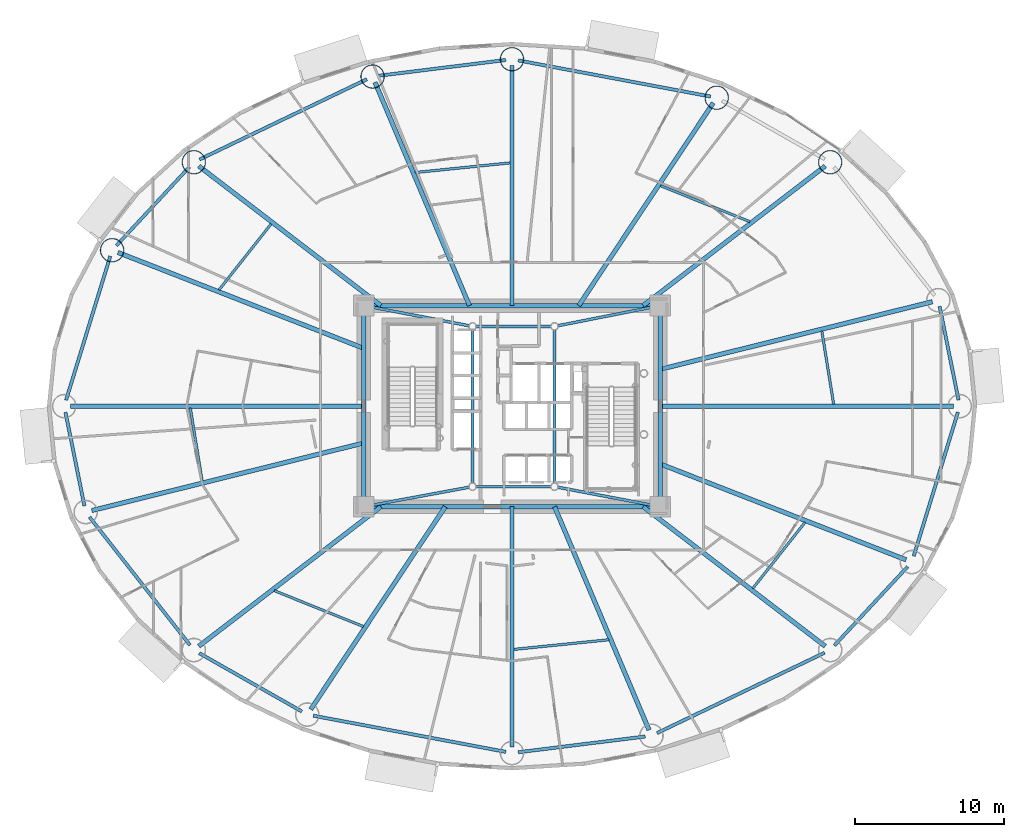
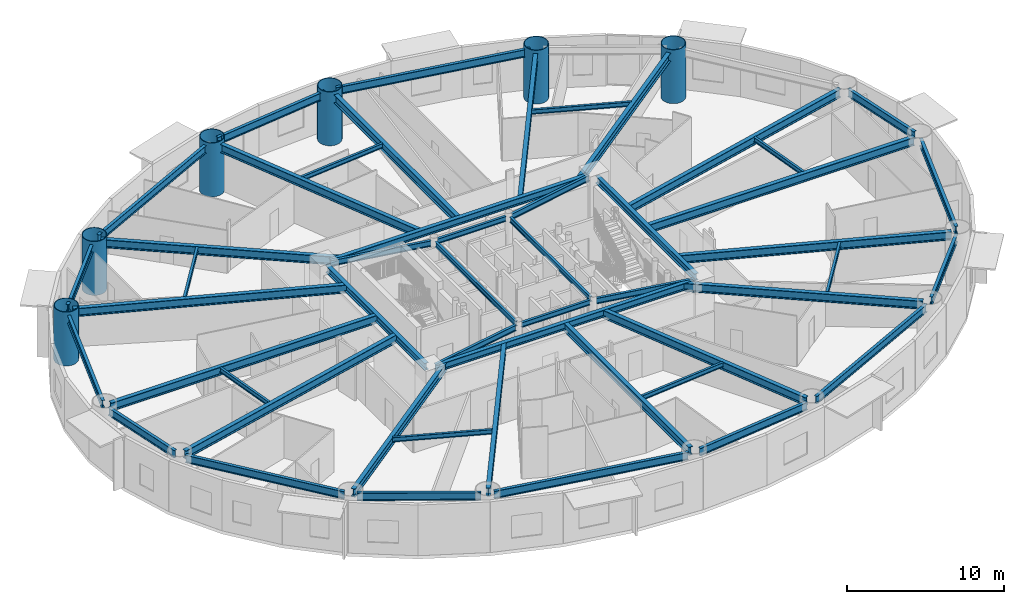
# One storey, part 3 of 20: 50 beams, 6 columns.
"""IFC4 building model written with IfcOpenShell, lengths in metres."""

from ifc_helpers import new_model, si_unit, direction, frame, origin, origin_2d, place, context, subcontext, project, spatial, hollow_circle, i_section, extrude, material, material_profile, profile_set, type_object, element, save


model = new_model("IFC4")

# Units and contexts
model_context = context("Model", 3, precision=1e-05, world=origin(), true_north=direction((0.0, 1.0)))
body_context = subcontext(model_context, "Body", "Model", "MODEL_VIEW")
ifc_project = project(units=[si_unit("LENGTHUNIT", "METRE"), si_unit("AREAUNIT", "SQUARE_METRE"), si_unit("VOLUMEUNIT", "CUBIC_METRE"), si_unit("PLANEANGLEUNIT", "RADIAN"), si_unit("MASSUNIT", "GRAM", prefix="KILO")], contexts=[model_context])

# Site, building, storey
site_placement = place(None, origin())
site = spatial("IfcSite", under=ifc_project, at=site_placement, CompositionType="ELEMENT")
building_placement = place(site_placement, origin())
building = spatial("IfcBuilding", under=site, at=building_placement, Name="Linh Dai School and Residence Tower", CompositionType="ELEMENT")
storey_placement = place(building_placement, frame((0.0, 0.0, 66.0)))
storey = spatial("IfcBuildingStorey", under=building, at=storey_placement, Name="L15", CompositionType="ELEMENT", Elevation=66.0)

# Columns
ifc_material = material(Name="Structural Steel S355JR", Category="steel")
ifc_material_profile_1 = material_profile(ifc_material, hollow_circle(Radius=0.800048828125, WallThickness=0.044921875, at=origin_2d()), Name="CHS 1600x45")
ifc_profile_set_1 = profile_set([ifc_material_profile_1], Name="Structural Steel S355JR")
column_type = type_object("IfcColumnType", Name="COL-MC2", PredefinedType="COLUMN", material=ifc_profile_set_1)
for number, where, z_axis, x_axis, name in (
    (1, (57.352783203125, 43.369140625, 0.0), (0.0, 0.0, 1.0), (1.0, 0.0, 0.0), "L15 Perimeter CFT Mega-Column MC03"),
    (2, (49.73828125, 47.69921875, 0.0), (0.0, 0.0, 1.0), (1.0, 0.0, 0.0), "L15 Perimeter CFT Mega-Column MC04"),
    (3, (36.0, 50.280029296875, 0.0), (0.0, 0.0, 1.0), (1.0, 0.0, 0.0), "L15 Perimeter CFT Mega-Column MC05"),
    (4, (26.642333984375, 49.119873046875, 0.0), (0.0, 0.0, 1.0), (1.0, 0.0, 0.0), "L15 Perimeter CFT Mega-Column MC06"),
    (5, (14.647216796875, 43.369140625, 0.0), (0.0, 0.0, 1.0), (1.0, 0.0, 0.0), "L15 Perimeter CFT Mega-Column MC07"),
    (6, (9.16455078125, 37.4638671875, 0.0), (0.0, 0.0, 1.0), (1.0, 0.0, 0.0), "L15 Perimeter CFT Mega-Column MC08"),
):
    element("IfcColumn", number, at=place(storey_placement, frame(where, z_axis=z_axis, x_axis=x_axis)), inside=storey, type_object=column_type, Name=name, PredefinedType="COLUMN", context=body_context, shape_type="SweptSolid", body=[
        extrude(hollow_circle(Radius=0.800048828125, WallThickness=0.044921875, at=origin_2d()), origin(), (0.0, 0.0, 1.0), 4.199951171875),
    ])

# Beams
ifc_material_profile_2 = material_profile(ifc_material, i_section(OverallWidth=0.219970703125, OverallDepth=0.60009765625, WebThickness=0.011962890625, FlangeThickness=0.01904296875, FilletRadius=0.02392578125, at=origin_2d()), Name="IPE 600")
ifc_profile_set_2 = profile_set([ifc_material_profile_2], Name="Structural Steel S355JR")
beam_type_1 = type_object("IfcBeamType", Name="BM-RB60", PredefinedType="BEAM", material=ifc_profile_set_2)
beam_1_placement = place(storey_placement, frame((65.966552734375, 27.41162109375, 3.64990234375), z_axis=(-0.198429171022, 0.980115230005, 0.0), x_axis=(-0.980115230005, -0.198429171022, 0.0)))
element("IfcBeam", 7, at=beam_1_placement, inside=storey, type_object=beam_type_1, Name="L15 Perimeter Elliptical Ring Beam 01", PredefinedType="BEAM", context=body_context, shape_type="SweptSolid", body=[
    extrude(i_section(OverallWidth=0.219970703125, OverallDepth=0.60009765625, WebThickness=0.011962890625, FlangeThickness=0.01904296875, FilletRadius=0.02392578125, at=origin_2d()), origin(), (0.0, 0.0, 1.0), 6.41259765625),
])
beam_2_placement = place(storey_placement, frame((49.32568359375, 47.776611328125, 3.64990234375), z_axis=(-0.982808389171, 0.184628465236, 0.0), x_axis=(-0.184628465236, -0.982808389171, 0.0)))
element("IfcBeam", 8, at=beam_2_placement, inside=storey, type_object=beam_type_1, Name="L15 Perimeter Elliptical Ring Beam 04", PredefinedType="BEAM", context=body_context, shape_type="SweptSolid", body=[
    extrude(i_section(OverallWidth=0.219970703125, OverallDepth=0.60009765625, WebThickness=0.011962890625, FlangeThickness=0.01904296875, FilletRadius=0.02392578125, at=origin_2d()), origin(), (0.0, 0.0, 1.0), 13.138671875),
])
beam_3_placement = place(storey_placement, frame((35.583251953125, 50.228271484375, 3.64990234375), z_axis=(-0.99240113372, -0.123044665842, 0.0), x_axis=(0.123044665842, -0.99240113372, 0.0)))
element("IfcBeam", 9, at=beam_3_placement, inside=storey, type_object=beam_type_1, Name="L15 Perimeter Elliptical Ring Beam 05", PredefinedType="BEAM", context=body_context, shape_type="SweptSolid", body=[
    extrude(i_section(OverallWidth=0.219970703125, OverallDepth=0.60009765625, WebThickness=0.011962890625, FlangeThickness=0.01904296875, FilletRadius=0.02392578125, at=origin_2d()), origin(), (0.0, 0.0, 1.0), 8.58935546875),
])
beam_4_placement = place(storey_placement, frame((26.263427734375, 48.938232421875, 3.64990234375), z_axis=(-0.901728693485, -0.432302398034, 0.0), x_axis=(0.432302398034, -0.901728693485, 0.0)))
element("IfcBeam", 10, at=beam_4_placement, inside=storey, type_object=beam_type_1, Name="L15 Perimeter Elliptical Ring Beam 06", PredefinedType="BEAM", context=body_context, shape_type="SweptSolid", body=[
    extrude(i_section(OverallWidth=0.219970703125, OverallDepth=0.60009765625, WebThickness=0.011962890625, FlangeThickness=0.01904296875, FilletRadius=0.02392578125, at=origin_2d()), origin(), (0.0, 0.0, 1.0), 12.462158203125),
])
beam_5_placement = place(storey_placement, frame((14.361572265625, 43.061279296875, 3.64990234375), z_axis=(-0.680408287194, -0.732833243458, 0.0), x_axis=(0.732833243458, -0.680408287194, 0.0)))
element("IfcBeam", 11, at=beam_5_placement, inside=storey, type_object=beam_type_1, Name="L15 Perimeter Elliptical Ring Beam 07", PredefinedType="BEAM", context=body_context, shape_type="SweptSolid", body=[
    extrude(i_section(OverallWidth=0.219970703125, OverallDepth=0.60009765625, WebThickness=0.011962890625, FlangeThickness=0.01904296875, FilletRadius=0.02392578125, at=origin_2d()), origin(), (0.0, 0.0, 1.0), 7.21826171875),
])
beam_6_placement = place(storey_placement, frame((9.041259765625, 37.062255859375, 3.64990234375), z_axis=(-0.293673329015, -0.95590584046, 0.0), x_axis=(0.95590584046, -0.293673329015, 0.0)))
element("IfcBeam", 12, at=beam_6_placement, inside=storey, type_object=beam_type_1, Name="L15 Perimeter Elliptical Ring Beam 08", PredefinedType="BEAM", context=body_context, shape_type="SweptSolid", body=[
    extrude(i_section(OverallWidth=0.219970703125, OverallDepth=0.60009765625, WebThickness=0.011962890625, FlangeThickness=0.01904296875, FilletRadius=0.02392578125, at=origin_2d()), origin(), (0.0, 0.0, 1.0), 10.1064453125),
])
beam_7_placement = place(storey_placement, frame((6.033447265625, 26.58837890625, 3.64990234375), z_axis=(0.198429171022, -0.980115230005, 0.0), x_axis=(0.980115230005, 0.198429171022, 0.0)))
element("IfcBeam", 13, at=beam_7_placement, inside=storey, type_object=beam_type_1, Name="L15 Perimeter Elliptical Ring Beam 09", PredefinedType="BEAM", context=body_context, shape_type="SweptSolid", body=[
    extrude(i_section(OverallWidth=0.219970703125, OverallDepth=0.60009765625, WebThickness=0.011962890625, FlangeThickness=0.01904296875, FilletRadius=0.02392578125, at=origin_2d()), origin(), (0.0, 0.0, 1.0), 6.41259765625),
])
beam_8_placement = place(storey_placement, frame((7.648193359375, 19.560791015625, 3.64990234375), z_axis=(0.616878670407, -0.787058260866, 0.0), x_axis=(0.787058260866, 0.616878670407, 0.0)))
element("IfcBeam", 14, at=beam_8_placement, inside=storey, type_object=beam_type_1, Name="L15 Perimeter Elliptical Ring Beam 10", PredefinedType="BEAM", context=body_context, shape_type="SweptSolid", body=[
    extrude(i_section(OverallWidth=0.219970703125, OverallDepth=0.60009765625, WebThickness=0.011962890625, FlangeThickness=0.01904296875, FilletRadius=0.02392578125, at=origin_2d()), origin(), (0.0, 0.0, 1.0), 10.926025390625),
])
beam_9_placement = place(storey_placement, frame((15.012451171875, 10.42333984375, 3.64990234375), z_axis=(0.869271416992, -0.494335112653, 0.0), x_axis=(0.494335112653, 0.869271416992, 0.0)))
element("IfcBeam", 15, at=beam_9_placement, inside=storey, type_object=beam_type_1, Name="L15 Perimeter Elliptical Ring Beam 11", PredefinedType="BEAM", context=body_context, shape_type="SweptSolid", body=[
    extrude(i_section(OverallWidth=0.219970703125, OverallDepth=0.60009765625, WebThickness=0.011962890625, FlangeThickness=0.01904296875, FilletRadius=0.02392578125, at=origin_2d()), origin(), (0.0, 0.0, 1.0), 7.91943359375),
])
beam_10_placement = place(storey_placement, frame((22.67431640625, 6.223388671875, 3.64990234375), z_axis=(0.982808389171, -0.184628465236, 0.0), x_axis=(0.184628465236, 0.982808389171, 0.0)))
element("IfcBeam", 16, at=beam_10_placement, inside=storey, type_object=beam_type_1, Name="L15 Perimeter Elliptical Ring Beam 12", PredefinedType="BEAM", context=body_context, shape_type="SweptSolid", body=[
    extrude(i_section(OverallWidth=0.219970703125, OverallDepth=0.60009765625, WebThickness=0.011962890625, FlangeThickness=0.01904296875, FilletRadius=0.02392578125, at=origin_2d()), origin(), (0.0, 0.0, 1.0), 13.138671875),
])
beam_11_placement = place(storey_placement, frame((36.416748046875, 3.771728515625, 3.64990234375), z_axis=(0.99240113372, 0.123044665842, 0.0), x_axis=(-0.123044665842, 0.99240113372, 0.0)))
element("IfcBeam", 17, at=beam_11_placement, inside=storey, type_object=beam_type_1, Name="L15 Perimeter Elliptical Ring Beam 13", PredefinedType="BEAM", context=body_context, shape_type="SweptSolid", body=[
    extrude(i_section(OverallWidth=0.219970703125, OverallDepth=0.60009765625, WebThickness=0.011962890625, FlangeThickness=0.01904296875, FilletRadius=0.02392578125, at=origin_2d()), origin(), (0.0, 0.0, 1.0), 8.58935546875),
])
beam_12_placement = place(storey_placement, frame((45.736572265625, 5.061767578125, 3.64990234375), z_axis=(0.901728693485, 0.432302398034, 0.0), x_axis=(-0.432302398034, 0.901728693485, 0.0)))
element("IfcBeam", 18, at=beam_12_placement, inside=storey, type_object=beam_type_1, Name="L15 Perimeter Elliptical Ring Beam 14", PredefinedType="BEAM", context=body_context, shape_type="SweptSolid", body=[
    extrude(i_section(OverallWidth=0.219970703125, OverallDepth=0.60009765625, WebThickness=0.011962890625, FlangeThickness=0.01904296875, FilletRadius=0.02392578125, at=origin_2d()), origin(), (0.0, 0.0, 1.0), 12.462158203125),
])
beam_13_placement = place(storey_placement, frame((57.638427734375, 10.938720703125, 3.64990234375), z_axis=(0.680408287194, 0.732833243458, 0.0), x_axis=(-0.732833243458, 0.680408287194, 0.0)))
element("IfcBeam", 19, at=beam_13_placement, inside=storey, type_object=beam_type_1, Name="L15 Perimeter Elliptical Ring Beam 15", PredefinedType="BEAM", context=body_context, shape_type="SweptSolid", body=[
    extrude(i_section(OverallWidth=0.219970703125, OverallDepth=0.60009765625, WebThickness=0.011962890625, FlangeThickness=0.01904296875, FilletRadius=0.02392578125, at=origin_2d()), origin(), (0.0, 0.0, 1.0), 7.21826171875),
])
beam_14_placement = place(storey_placement, frame((62.958740234375, 16.937744140625, 3.64990234375), z_axis=(0.293673329015, 0.95590584046, 0.0), x_axis=(-0.95590584046, 0.293673329015, 0.0)))
element("IfcBeam", 20, at=beam_14_placement, inside=storey, type_object=beam_type_1, Name="L15 Perimeter Elliptical Ring Beam 16", PredefinedType="BEAM", context=body_context, shape_type="SweptSolid", body=[
    extrude(i_section(OverallWidth=0.219970703125, OverallDepth=0.60009765625, WebThickness=0.011962890625, FlangeThickness=0.01904296875, FilletRadius=0.02392578125, at=origin_2d()), origin(), (0.0, 0.0, 1.0), 10.1064453125),
])
ifc_material_profile_3 = material_profile(ifc_material, i_section(OverallWidth=0.300048828125, OverallDepth=0.550048828125, WebThickness=0.014892578125, FlangeThickness=0.029052734375, FilletRadius=0.027099609375, at=origin_2d()), Name="HEB 550")
ifc_profile_set_3 = profile_set([ifc_material_profile_3], Name="Structural Steel S355JR")
beam_type_2 = type_object("IfcBeamType", Name="BM-RG55", PredefinedType="BEAM", material=ifc_profile_set_3)
beam_15_placement = place(storey_placement, frame((26.469970703125, 20.25, 3.675048828125), z_axis=(1.0, 0.0, 0.0), x_axis=(0.0, 1.0, 0.0)))
element("IfcBeam", 21, at=beam_15_placement, inside=storey, type_object=beam_type_2, Name="L15 Core Perimeter Coupling Girder 1", PredefinedType="BEAM", context=body_context, shape_type="SweptSolid", body=[
    extrude(i_section(OverallWidth=0.300048828125, OverallDepth=0.550048828125, WebThickness=0.014892578125, FlangeThickness=0.029052734375, FilletRadius=0.027099609375, at=origin_2d()), origin(), (0.0, 0.0, 1.0), 19.06005859375),
])
beam_16_placement = place(storey_placement, frame((45.949951171875, 20.669921875, 3.675048828125), z_axis=(0.0, 1.0, 0.0), x_axis=(-1.0, 0.0, 0.0)))
element("IfcBeam", 22, at=beam_16_placement, inside=storey, type_object=beam_type_2, Name="L15 Core Perimeter Coupling Girder 2", PredefinedType="BEAM", context=body_context, shape_type="SweptSolid", body=[
    extrude(i_section(OverallWidth=0.300048828125, OverallDepth=0.550048828125, WebThickness=0.014892578125, FlangeThickness=0.029052734375, FilletRadius=0.027099609375, at=origin_2d()), origin(), (0.0, 0.0, 1.0), 12.66015625),
])
beam_17_placement = place(storey_placement, frame((45.530029296875, 33.75, 3.675048828125), z_axis=(-1.0, 0.0, 0.0), x_axis=(0.0, -1.0, 0.0)))
element("IfcBeam", 23, at=beam_17_placement, inside=storey, type_object=beam_type_2, Name="L15 Core Perimeter Coupling Girder 3", PredefinedType="BEAM", context=body_context, shape_type="SweptSolid", body=[
    extrude(i_section(OverallWidth=0.300048828125, OverallDepth=0.550048828125, WebThickness=0.014892578125, FlangeThickness=0.029052734375, FilletRadius=0.027099609375, at=origin_2d()), origin(), (0.0, 0.0, 1.0), 19.06005859375),
])
beam_18_placement = place(storey_placement, frame((26.050048828125, 33.330078125, 3.675048828125), z_axis=(0.0, -1.0, 0.0), x_axis=(1.0, 0.0, 0.0)))
element("IfcBeam", 24, at=beam_18_placement, inside=storey, type_object=beam_type_2, Name="L15 Core Perimeter Coupling Girder 4", PredefinedType="BEAM", context=body_context, shape_type="SweptSolid", body=[
    extrude(i_section(OverallWidth=0.300048828125, OverallDepth=0.550048828125, WebThickness=0.014892578125, FlangeThickness=0.029052734375, FilletRadius=0.027099609375, at=origin_2d()), origin(), (0.0, 0.0, 1.0), 12.66015625),
])
ifc_material_profile_4 = material_profile(ifc_material, i_section(OverallWidth=0.300048828125, OverallDepth=0.64990234375, WebThickness=0.01611328125, FlangeThickness=0.031005859375, FilletRadius=0.027099609375, at=origin_2d()), Name="HEB 650")
ifc_profile_set_4 = profile_set([ifc_material_profile_4], Name="Structural Steel S355JR")
beam_type_3 = type_object("IfcBeamType", Name="BM-RG65", PredefinedType="BEAM", material=ifc_profile_set_4)
beam_19_placement = place(storey_placement, frame((45.949951171875, 27.0, 3.625), z_axis=(1.0, 0.0, 0.0), x_axis=(0.0, 1.0, 0.0)))
element("IfcBeam", 25, at=beam_19_placement, inside=storey, type_object=beam_type_3, Name="L15 Primary Radial Floor Girder 01", PredefinedType="BEAM", context=body_context, shape_type="SweptSolid", body=[
    extrude(i_section(OverallWidth=0.300048828125, OverallDepth=0.64990234375, WebThickness=0.01611328125, FlangeThickness=0.031005859375, FilletRadius=0.027099609375, at=origin_2d()), origin(), (0.0, 0.0, 1.0), 19.679931640625),
])
beam_20_placement = place(storey_placement, frame((45.949951171875, 29.47216796875, 3.625), z_axis=(0.970493481328, 0.241127357843, 0.0), x_axis=(-0.241127357843, 0.970493481328, 0.0)))
element("IfcBeam", 26, at=beam_20_placement, inside=storey, type_object=beam_type_3, Name="L15 Primary Radial Floor Girder 02", PredefinedType="BEAM", context=body_context, shape_type="SweptSolid", body=[
    extrude(i_section(OverallWidth=0.300048828125, OverallDepth=0.64990234375, WebThickness=0.01611328125, FlangeThickness=0.031005859375, FilletRadius=0.027099609375, at=origin_2d()), origin(), (0.0, 0.0, 1.0), 18.80810546875),
])
beam_21_placement = place(storey_placement, frame((44.804931640625, 33.75, 3.625), z_axis=(0.793637764155, 0.608390581212, 0.0), x_axis=(-0.608390581212, 0.793637764155, 0.0)))
element("IfcBeam", 27, at=beam_21_placement, inside=storey, type_object=beam_type_3, Name="L15 Primary Radial Floor Girder 03", PredefinedType="BEAM", context=body_context, shape_type="SweptSolid", body=[
    extrude(i_section(OverallWidth=0.300048828125, OverallDepth=0.64990234375, WebThickness=0.01611328125, FlangeThickness=0.031005859375, FilletRadius=0.027099609375, at=origin_2d()), origin(), (0.0, 0.0, 1.0), 15.390625),
])
beam_22_placement = place(storey_placement, frame((40.47998046875, 33.75, 3.625), z_axis=(0.55300421354, 0.833178456158, 0.0), x_axis=(-0.833178456158, 0.55300421354, 0.0)))
element("IfcBeam", 28, at=beam_22_placement, inside=storey, type_object=beam_type_3, Name="L15 Primary Radial Floor Girder 04", PredefinedType="BEAM", context=body_context, shape_type="SweptSolid", body=[
    extrude(i_section(OverallWidth=0.300048828125, OverallDepth=0.64990234375, WebThickness=0.01611328125, FlangeThickness=0.031005859375, FilletRadius=0.027099609375, at=origin_2d()), origin(), (0.0, 0.0, 1.0), 16.322021484375),
])
beam_23_placement = place(storey_placement, frame((36.0, 33.75, 3.625), z_axis=(0.0, 1.0, 0.0), x_axis=(-1.0, 0.0, 0.0)))
element("IfcBeam", 29, at=beam_23_placement, inside=storey, type_object=beam_type_3, Name="L15 Primary Radial Floor Girder 05", PredefinedType="BEAM", context=body_context, shape_type="SweptSolid", body=[
    extrude(i_section(OverallWidth=0.300048828125, OverallDepth=0.64990234375, WebThickness=0.01611328125, FlangeThickness=0.031005859375, FilletRadius=0.027099609375, at=origin_2d()), origin(), (0.0, 0.0, 1.0), 16.110107421875),
])
beam_24_placement = place(storey_placement, frame((33.14453125, 33.75, 3.625), z_axis=(-0.38962432485, 0.920973878829, 0.0), x_axis=(-0.920973878829, -0.38962432485, 0.0)))
element("IfcBeam", 30, at=beam_24_placement, inside=storey, type_object=beam_type_3, Name="L15 Primary Radial Floor Girder 06", PredefinedType="BEAM", context=body_context, shape_type="SweptSolid", body=[
    extrude(i_section(OverallWidth=0.300048828125, OverallDepth=0.64990234375, WebThickness=0.01611328125, FlangeThickness=0.031005859375, FilletRadius=0.027099609375, at=origin_2d()), origin(), (0.0, 0.0, 1.0), 16.2685546875),
])
beam_25_placement = place(storey_placement, frame((27.195068359375, 33.75, 3.625), z_axis=(-0.793637764155, 0.608390581212, 0.0), x_axis=(-0.608390581212, -0.793637764155, 0.0)))
element("IfcBeam", 31, at=beam_25_placement, inside=storey, type_object=beam_type_3, Name="L15 Primary Radial Floor Girder 07", PredefinedType="BEAM", context=body_context, shape_type="SweptSolid", body=[
    extrude(i_section(OverallWidth=0.300048828125, OverallDepth=0.64990234375, WebThickness=0.01611328125, FlangeThickness=0.031005859375, FilletRadius=0.027099609375, at=origin_2d()), origin(), (0.0, 0.0, 1.0), 15.390625),
])
beam_26_placement = place(storey_placement, frame((26.050048828125, 30.879638671875, 3.625), z_axis=(-0.93167509369, 0.363292609061, 0.0), x_axis=(-0.363292609061, -0.93167509369, 0.0)))
element("IfcBeam", 32, at=beam_26_placement, inside=storey, type_object=beam_type_3, Name="L15 Primary Radial Floor Girder 08", PredefinedType="BEAM", context=body_context, shape_type="SweptSolid", body=[
    extrude(i_section(OverallWidth=0.300048828125, OverallDepth=0.64990234375, WebThickness=0.01611328125, FlangeThickness=0.031005859375, FilletRadius=0.027099609375, at=origin_2d()), origin(), (0.0, 0.0, 1.0), 17.703857421875),
])
beam_27_placement = place(storey_placement, frame((26.050048828125, 27.0, 3.625), z_axis=(-1.0, 0.0, 0.0), x_axis=(0.0, -1.0, 0.0)))
element("IfcBeam", 33, at=beam_27_placement, inside=storey, type_object=beam_type_3, Name="L15 Primary Radial Floor Girder 09", PredefinedType="BEAM", context=body_context, shape_type="SweptSolid", body=[
    extrude(i_section(OverallWidth=0.300048828125, OverallDepth=0.64990234375, WebThickness=0.01611328125, FlangeThickness=0.031005859375, FilletRadius=0.027099609375, at=origin_2d()), origin(), (0.0, 0.0, 1.0), 19.679931640625),
])
beam_28_placement = place(storey_placement, frame((26.050048828125, 24.52783203125, 3.625), z_axis=(-0.970493481328, -0.241127357843, 0.0), x_axis=(0.241127357843, -0.970493481328, 0.0)))
element("IfcBeam", 34, at=beam_28_placement, inside=storey, type_object=beam_type_3, Name="L15 Primary Radial Floor Girder 10", PredefinedType="BEAM", context=body_context, shape_type="SweptSolid", body=[
    extrude(i_section(OverallWidth=0.300048828125, OverallDepth=0.64990234375, WebThickness=0.01611328125, FlangeThickness=0.031005859375, FilletRadius=0.027099609375, at=origin_2d()), origin(), (0.0, 0.0, 1.0), 18.80810546875),
])
beam_29_placement = place(storey_placement, frame((27.195068359375, 20.25, 3.625), z_axis=(-0.793637764155, -0.608390581212, 0.0), x_axis=(0.608390581212, -0.793637764155, 0.0)))
element("IfcBeam", 35, at=beam_29_placement, inside=storey, type_object=beam_type_3, Name="L15 Primary Radial Floor Girder 11", PredefinedType="BEAM", context=body_context, shape_type="SweptSolid", body=[
    extrude(i_section(OverallWidth=0.300048828125, OverallDepth=0.64990234375, WebThickness=0.01611328125, FlangeThickness=0.031005859375, FilletRadius=0.027099609375, at=origin_2d()), origin(), (0.0, 0.0, 1.0), 15.390625),
])
beam_30_placement = place(storey_placement, frame((31.52001953125, 20.25, 3.625), z_axis=(-0.55300421354, -0.833178456158, 0.0), x_axis=(0.833178456158, -0.55300421354, 0.0)))
element("IfcBeam", 36, at=beam_30_placement, inside=storey, type_object=beam_type_3, Name="L15 Primary Radial Floor Girder 12", PredefinedType="BEAM", context=body_context, shape_type="SweptSolid", body=[
    extrude(i_section(OverallWidth=0.300048828125, OverallDepth=0.64990234375, WebThickness=0.01611328125, FlangeThickness=0.031005859375, FilletRadius=0.027099609375, at=origin_2d()), origin(), (0.0, 0.0, 1.0), 16.322021484375),
])
beam_31_placement = place(storey_placement, frame((36.0, 20.25, 3.625), z_axis=(0.0, -1.0, 0.0), x_axis=(1.0, 0.0, 0.0)))
element("IfcBeam", 37, at=beam_31_placement, inside=storey, type_object=beam_type_3, Name="L15 Primary Radial Floor Girder 13", PredefinedType="BEAM", context=body_context, shape_type="SweptSolid", body=[
    extrude(i_section(OverallWidth=0.300048828125, OverallDepth=0.64990234375, WebThickness=0.01611328125, FlangeThickness=0.031005859375, FilletRadius=0.027099609375, at=origin_2d()), origin(), (0.0, 0.0, 1.0), 16.110107421875),
])
beam_32_placement = place(storey_placement, frame((38.85546875, 20.25, 3.625), z_axis=(0.38962432485, -0.920973878829, 0.0), x_axis=(0.920973878829, 0.38962432485, 0.0)))
element("IfcBeam", 38, at=beam_32_placement, inside=storey, type_object=beam_type_3, Name="L15 Primary Radial Floor Girder 14", PredefinedType="BEAM", context=body_context, shape_type="SweptSolid", body=[
    extrude(i_section(OverallWidth=0.300048828125, OverallDepth=0.64990234375, WebThickness=0.01611328125, FlangeThickness=0.031005859375, FilletRadius=0.027099609375, at=origin_2d()), origin(), (0.0, 0.0, 1.0), 16.2685546875),
])
beam_33_placement = place(storey_placement, frame((44.804931640625, 20.25, 3.625), z_axis=(0.793637764155, -0.608390581212, 0.0), x_axis=(0.608390581212, 0.793637764155, 0.0)))
element("IfcBeam", 39, at=beam_33_placement, inside=storey, type_object=beam_type_3, Name="L15 Primary Radial Floor Girder 15", PredefinedType="BEAM", context=body_context, shape_type="SweptSolid", body=[
    extrude(i_section(OverallWidth=0.300048828125, OverallDepth=0.64990234375, WebThickness=0.01611328125, FlangeThickness=0.031005859375, FilletRadius=0.027099609375, at=origin_2d()), origin(), (0.0, 0.0, 1.0), 15.390625),
])
beam_34_placement = place(storey_placement, frame((45.949951171875, 23.120361328125, 3.625), z_axis=(0.93167509369, -0.363292609061, 0.0), x_axis=(0.363292609061, 0.93167509369, 0.0)))
element("IfcBeam", 40, at=beam_34_placement, inside=storey, type_object=beam_type_3, Name="L15 Primary Radial Floor Girder 16", PredefinedType="BEAM", context=body_context, shape_type="SweptSolid", body=[
    extrude(i_section(OverallWidth=0.300048828125, OverallDepth=0.64990234375, WebThickness=0.01611328125, FlangeThickness=0.031005859375, FilletRadius=0.027099609375, at=origin_2d()), origin(), (0.0, 0.0, 1.0), 17.703857421875),
])
ifc_material_profile_5 = material_profile(ifc_material, i_section(OverallWidth=0.169921875, OverallDepth=0.360107421875, WebThickness=0.008056640625, FlangeThickness=0.0126953125, FilletRadius=0.01806640625, at=origin_2d()), Name="IPE 360")
ifc_profile_set_5 = profile_set([ifc_material_profile_5], Name="Structural Steel S355JR")
beam_type_4 = type_object("IfcBeamType", Name="BM-SB36", PredefinedType="BEAM", material=ifc_profile_set_5)
beam_35_placement = place(storey_placement, frame((57.587158203125, 27.12841796875, 3.77001953125), z_axis=(-0.159655745546, 0.987172752316, 0.0), x_axis=(-0.987172752316, -0.159655745546, 0.0)))
element("IfcBeam", 41, at=beam_35_placement, inside=storey, type_object=beam_type_4, Name="L15 Secondary Circumferential Floor Beam 01", PredefinedType="BEAM", context=body_context, shape_type="SweptSolid", body=[
    extrude(i_section(OverallWidth=0.169921875, OverallDepth=0.360107421875, WebThickness=0.008056640625, FlangeThickness=0.0126953125, FilletRadius=0.01806640625, at=origin_2d()), origin(), (0.0, 0.0, 1.0), 4.96826171875),
])
beam_36_placement = place(storey_placement, frame((51.962158203125, 39.377685546875, 3.77001953125), z_axis=(-0.927532778422, 0.3737418159, 0.0), x_axis=(-0.3737418159, -0.927532778422, 0.0)))
element("IfcBeam", 42, at=beam_36_placement, inside=storey, type_object=beam_type_4, Name="L15 Secondary Circumferential Floor Beam 02", PredefinedType="BEAM", context=body_context, shape_type="SweptSolid", body=[
    extrude(i_section(OverallWidth=0.169921875, OverallDepth=0.360107421875, WebThickness=0.008056640625, FlangeThickness=0.0126953125, FilletRadius=0.01806640625, at=origin_2d()), origin(), (0.0, 0.0, 1.0), 6.459716796875),
])
beam_37_placement = place(storey_placement, frame((35.87060546875, 43.32421875, 3.77001953125), z_axis=(-0.994886521003, -0.100999061019, 0.0), x_axis=(0.100999061019, -0.994886521003, 0.0)))
element("IfcBeam", 43, at=beam_37_placement, inside=storey, type_object=beam_type_4, Name="L15 Secondary Circumferential Floor Beam 03", PredefinedType="BEAM", context=body_context, shape_type="SweptSolid", body=[
    extrude(i_section(OverallWidth=0.169921875, OverallDepth=0.360107421875, WebThickness=0.008056640625, FlangeThickness=0.0126953125, FilletRadius=0.01806640625, at=origin_2d()), origin(), (0.0, 0.0, 1.0), 6.40087890625),
])
beam_38_placement = place(storey_placement, frame((19.836669921875, 39.22705078125, 3.77001953125), z_axis=(-0.620205247605, -0.78443957756, 0.0), x_axis=(0.78443957756, -0.620205247605, 0.0)))
element("IfcBeam", 44, at=beam_38_placement, inside=storey, type_object=beam_type_4, Name="L15 Secondary Circumferential Floor Beam 04", PredefinedType="BEAM", context=body_context, shape_type="SweptSolid", body=[
    extrude(i_section(OverallWidth=0.169921875, OverallDepth=0.360107421875, WebThickness=0.008056640625, FlangeThickness=0.0126953125, FilletRadius=0.01806640625, at=origin_2d()), origin(), (0.0, 0.0, 1.0), 5.642822265625),
])
beam_39_placement = place(storey_placement, frame((14.412841796875, 26.87158203125, 3.77001953125), z_axis=(0.159655745546, -0.987172752316, 0.0), x_axis=(0.987172752316, 0.159655745546, 0.0)))
element("IfcBeam", 45, at=beam_39_placement, inside=storey, type_object=beam_type_4, Name="L15 Secondary Circumferential Floor Beam 05", PredefinedType="BEAM", context=body_context, shape_type="SweptSolid", body=[
    extrude(i_section(OverallWidth=0.169921875, OverallDepth=0.360107421875, WebThickness=0.008056640625, FlangeThickness=0.0126953125, FilletRadius=0.01806640625, at=origin_2d()), origin(), (0.0, 0.0, 1.0), 4.96826171875),
])
beam_40_placement = place(storey_placement, frame((20.037841796875, 14.622314453125, 3.77001953125), z_axis=(0.927532778422, -0.3737418159, 0.0), x_axis=(0.3737418159, 0.927532778422, 0.0)))
element("IfcBeam", 46, at=beam_40_placement, inside=storey, type_object=beam_type_4, Name="L15 Secondary Circumferential Floor Beam 06", PredefinedType="BEAM", context=body_context, shape_type="SweptSolid", body=[
    extrude(i_section(OverallWidth=0.169921875, OverallDepth=0.360107421875, WebThickness=0.008056640625, FlangeThickness=0.0126953125, FilletRadius=0.01806640625, at=origin_2d()), origin(), (0.0, 0.0, 1.0), 6.459716796875),
])
beam_41_placement = place(storey_placement, frame((36.12939453125, 10.67578125, 3.77001953125), z_axis=(0.994886521003, 0.100999061019, 0.0), x_axis=(-0.100999061019, 0.994886521003, 0.0)))
element("IfcBeam", 47, at=beam_41_placement, inside=storey, type_object=beam_type_4, Name="L15 Secondary Circumferential Floor Beam 07", PredefinedType="BEAM", context=body_context, shape_type="SweptSolid", body=[
    extrude(i_section(OverallWidth=0.169921875, OverallDepth=0.360107421875, WebThickness=0.008056640625, FlangeThickness=0.0126953125, FilletRadius=0.01806640625, at=origin_2d()), origin(), (0.0, 0.0, 1.0), 6.40087890625),
])
beam_42_placement = place(storey_placement, frame((52.163330078125, 14.77294921875, 3.77001953125), z_axis=(0.620205247605, 0.78443957756, 0.0), x_axis=(-0.78443957756, 0.620205247605, 0.0)))
element("IfcBeam", 48, at=beam_42_placement, inside=storey, type_object=beam_type_4, Name="L15 Secondary Circumferential Floor Beam 08", PredefinedType="BEAM", context=body_context, shape_type="SweptSolid", body=[
    extrude(i_section(OverallWidth=0.169921875, OverallDepth=0.360107421875, WebThickness=0.008056640625, FlangeThickness=0.0126953125, FilletRadius=0.01806640625, at=origin_2d()), origin(), (0.0, 0.0, 1.0), 5.642822265625),
])
ifc_material_profile_6 = material_profile(ifc_material, i_section(OverallWidth=0.179931640625, OverallDepth=0.39990234375, WebThickness=0.008544921875, FlangeThickness=0.013427734375, FilletRadius=0.02099609375, at=origin_2d()), Name="IPE 400")
ifc_profile_set_6 = profile_set([ifc_material_profile_6], Name="Structural Steel S355JR")
beam_type_5 = type_object("IfcBeamType", Name="BM-SB40", PredefinedType="BEAM", material=ifc_profile_set_6)
beam_43_placement = place(storey_placement, frame((33.573974609375, 21.60009765625, 3.75), z_axis=(1.0, 0.0, 0.0), x_axis=(0.0, 1.0, 0.0)))
element("IfcBeam", 49, at=beam_43_placement, inside=storey, type_object=beam_type_5, Name="L15 Core Mast Pier Tie Beam 1", PredefinedType="BEAM", context=body_context, shape_type="SweptSolid", body=[
    extrude(i_section(OverallWidth=0.179931640625, OverallDepth=0.39990234375, WebThickness=0.008544921875, FlangeThickness=0.013427734375, FilletRadius=0.02099609375, at=origin_2d()), origin(), (0.0, 0.0, 1.0), 5.052001953125),
])
beam_44_placement = place(storey_placement, frame((38.85009765625, 21.823974609375, 3.75), z_axis=(0.0, 1.0, 0.0), x_axis=(-1.0, 0.0, 0.0)))
element("IfcBeam", 50, at=beam_44_placement, inside=storey, type_object=beam_type_5, Name="L15 Core Mast Pier Tie Beam 2", PredefinedType="BEAM", context=body_context, shape_type="SweptSolid", body=[
    extrude(i_section(OverallWidth=0.179931640625, OverallDepth=0.39990234375, WebThickness=0.008544921875, FlangeThickness=0.013427734375, FilletRadius=0.02099609375, at=origin_2d()), origin(), (0.0, 0.0, 1.0), 10.302001953125),
])
beam_45_placement = place(storey_placement, frame((38.6259765625, 32.35009765625, 3.75), z_axis=(-1.0, 0.0, 0.0), x_axis=(0.0, -1.0, 0.0)))
element("IfcBeam", 51, at=beam_45_placement, inside=storey, type_object=beam_type_5, Name="L15 Core Mast Pier Tie Beam 3", PredefinedType="BEAM", context=body_context, shape_type="SweptSolid", body=[
    extrude(i_section(OverallWidth=0.179931640625, OverallDepth=0.39990234375, WebThickness=0.008544921875, FlangeThickness=0.013427734375, FilletRadius=0.02099609375, at=origin_2d()), origin(), (0.0, 0.0, 1.0), 5.052001953125),
])
beam_46_placement = place(storey_placement, frame((33.35009765625, 32.1259765625, 3.75), z_axis=(0.0, -1.0, 0.0), x_axis=(1.0, 0.0, 0.0)))
element("IfcBeam", 52, at=beam_46_placement, inside=storey, type_object=beam_type_5, Name="L15 Core Mast Pier Tie Beam 4", PredefinedType="BEAM", context=body_context, shape_type="SweptSolid", body=[
    extrude(i_section(OverallWidth=0.179931640625, OverallDepth=0.39990234375, WebThickness=0.008544921875, FlangeThickness=0.013427734375, FilletRadius=0.02099609375, at=origin_2d()), origin(), (0.0, 0.0, 1.0), 10.302001953125),
])
ifc_material_profile_7 = material_profile(ifc_material, i_section(OverallWidth=0.18994140625, OverallDepth=0.449951171875, WebThickness=0.009521484375, FlangeThickness=0.0146484375, FilletRadius=0.02099609375, at=origin_2d()), Name="IPE 450")
ifc_profile_set_7 = profile_set([ifc_material_profile_7], Name="Structural Steel S355JR")
beam_type_6 = type_object("IfcBeamType", Name="BM-SB45", PredefinedType="BEAM", material=ifc_profile_set_7)
beam_47_placement = place(storey_placement, frame((26.462890625, 20.326416015625, 3.72509765625), z_axis=(0.983326152819, 0.18185070025, 0.0), x_axis=(-0.18185070025, 0.983326152819, 0.0)))
element("IfcBeam", 53, at=beam_47_placement, inside=storey, type_object=beam_type_6, Name="L15 Core Corner-to-Mast Pier Beam 1", PredefinedType="BEAM", context=body_context, shape_type="SweptSolid", body=[
    extrude(i_section(OverallWidth=0.18994140625, OverallDepth=0.449951171875, WebThickness=0.009521484375, FlangeThickness=0.0146484375, FilletRadius=0.02099609375, at=origin_2d()), origin(), (0.0, 0.0, 1.0), 6.77978515625),
])
beam_48_placement = place(storey_placement, frame((45.537353515625, 20.328369140625, 3.72509765625), z_axis=(-0.982397918823, 0.186800238471, 0.0), x_axis=(-0.186800238471, -0.982397918823, 0.0)))
element("IfcBeam", 54, at=beam_48_placement, inside=storey, type_object=beam_type_6, Name="L15 Core Corner-to-Mast Pier Beam 2", PredefinedType="BEAM", context=body_context, shape_type="SweptSolid", body=[
    extrude(i_section(OverallWidth=0.18994140625, OverallDepth=0.449951171875, WebThickness=0.009521484375, FlangeThickness=0.0146484375, FilletRadius=0.02099609375, at=origin_2d()), origin(), (0.0, 0.0, 1.0), 6.583251953125),
])
beam_49_placement = place(storey_placement, frame((45.537841796875, 33.668701171875, 3.72509765625), z_axis=(-0.981108354988, -0.193459028666, 0.0), x_axis=(0.193459028666, -0.981108354988, 0.0)))
element("IfcBeam", 55, at=beam_49_placement, inside=storey, type_object=beam_type_6, Name="L15 Core Corner-to-Mast Pier Beam 3", PredefinedType="BEAM", context=body_context, shape_type="SweptSolid", body=[
    extrude(i_section(OverallWidth=0.18994140625, OverallDepth=0.449951171875, WebThickness=0.009521484375, FlangeThickness=0.0146484375, FilletRadius=0.02099609375, at=origin_2d()), origin(), (0.0, 0.0, 1.0), 6.592529296875),
])
beam_50_placement = place(storey_placement, frame((26.46240234375, 33.6708984375, 3.72509765625), z_axis=(0.982100456787, -0.188357884832, 0.0), x_axis=(0.188357884832, 0.982100456787, 0.0)))
element("IfcBeam", 56, at=beam_50_placement, inside=storey, type_object=beam_type_6, Name="L15 Core Corner-to-Mast Pier Beam 4", PredefinedType="BEAM", context=body_context, shape_type="SweptSolid", body=[
    extrude(i_section(OverallWidth=0.18994140625, OverallDepth=0.449951171875, WebThickness=0.009521484375, FlangeThickness=0.0146484375, FilletRadius=0.02099609375, at=origin_2d()), origin(), (0.0, 0.0, 1.0), 6.789306640625),
])

save(model, "model.ifc")
